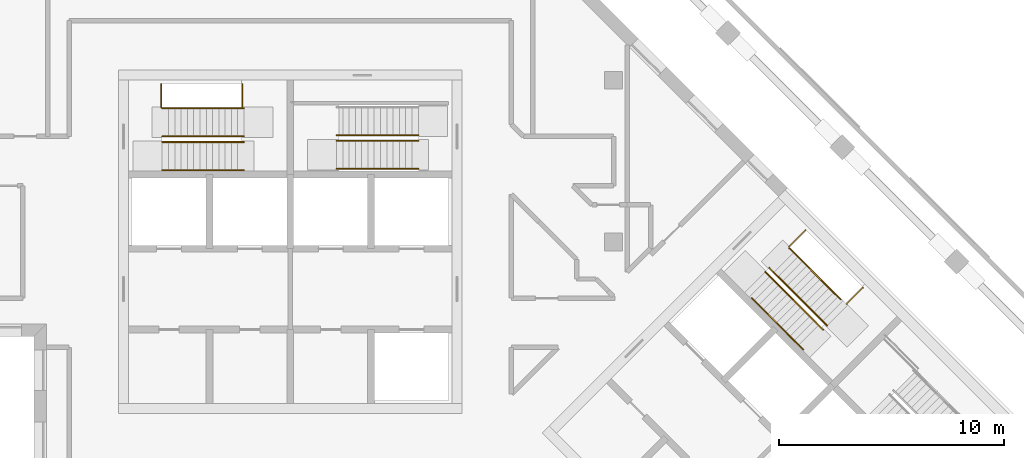
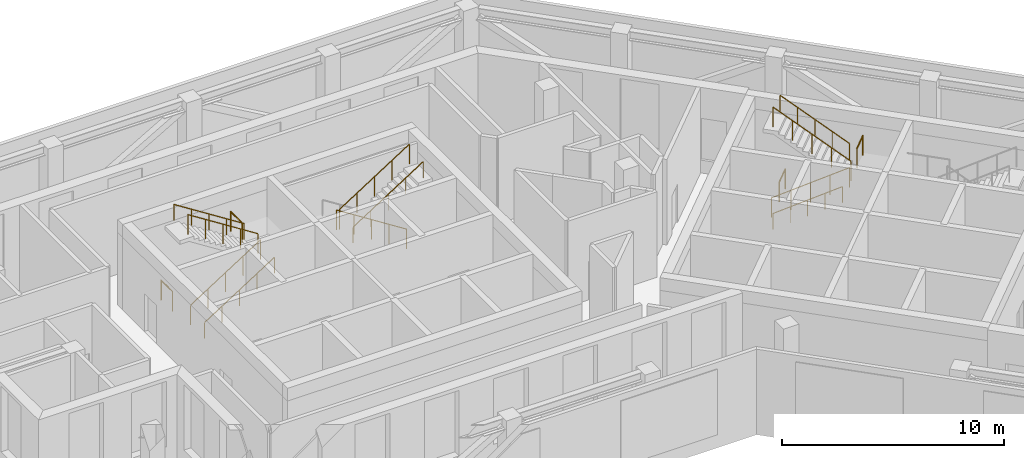
# One storey, part 7 of 9: 15 railings.
"""IFC4 building model written with IfcOpenShell, lengths in metres."""

import ifcopenshell
import ifcopenshell.guid

model = None  # the IFC model being written
_history = None  # IfcOwnerHistory: only IFC2X3 demands one
_inside = {}  # id of a spatial element -> (the spatial element, [elements in it])
_under = {}  # id of a project, library or spatial element -> (it, [spatial elements below it])
_declared = {}  # id of a project -> (the project, [libraries it declares])
_typed = {}  # id of a type object -> (the type object, [elements of that type])
_made_of = {}  # id of a material, layer set ... -> (it, [elements and type objects made of it])


def new_model(schema):
    """Start an empty IFC model of exactly this schema.

    Asked for "IFC4X3", IfcOpenShell would pick the latest addendum, in which some entities
    have other attributes; the version numbers below select the first issue.
    IFC2X3 requires an IfcOwnerHistory on every rooted entity: one is made here for all.
    """
    global model, _history
    if schema == "IFC4X3":
        model = ifcopenshell.file(schema_version=(4, 3, 0, 0))
    else:
        model = ifcopenshell.file(schema=schema)
    _inside.clear()
    _under.clear()
    _declared.clear()
    _typed.clear()
    _made_of.clear()
    _history = None
    if model.schema == "IFC2X3":
        org = make("IfcOrganization", Name="unknown")
        user = make(
            "IfcPersonAndOrganization",
            ThePerson=make("IfcPerson", FamilyName="unknown"),
            TheOrganization=org,
        )
        app = make(
            "IfcApplication",
            ApplicationDeveloper=org,
            Version="unknown",
            ApplicationFullName="unknown",
            ApplicationIdentifier="unknown",
        )
        _history = make(
            "IfcOwnerHistory",
            OwningUser=user,
            OwningApplication=app,
            ChangeAction="ADDED",
            CreationDate=0,
        )
    return model


def make(cls, **values):
    """One entity of the class cls with the attributes given. An attribute that is None is left unset."""
    return model.create_entity(
        cls, **{name: value for name, value in values.items() if value is not None}
    )


def rooted(cls, **values):
    """An entity with a GlobalId (a new one), such as an element, a storey or a relation."""
    return make(cls, GlobalId=ifcopenshell.guid.new(), OwnerHistory=_history, **values)


def si_unit(unit_type, name, prefix=None):
    """IfcSIUnit, for example si_unit("LENGTHUNIT", "METRE", prefix="MILLI")."""
    return make("IfcSIUnit", UnitType=unit_type, Prefix=prefix, Name=name)


def assignment(units):
    """IfcUnitAssignment: the units of a project."""
    return None if units is None else make("IfcUnitAssignment", Units=units)


def point(xyz):
    """IfcCartesianPoint."""
    return None if xyz is None else make("IfcCartesianPoint", Coordinates=xyz)


def direction(xyz):
    """IfcDirection."""
    return None if xyz is None else make("IfcDirection", DirectionRatios=xyz)


def frame(location, z_axis=None, x_axis=None):
    """IfcAxis2Placement3D, a coordinate frame: its origin and axes. An axis left out is left unset."""
    return make(
        "IfcAxis2Placement3D",
        Location=point(location),
        Axis=direction(z_axis),
        RefDirection=direction(x_axis),
    )


def frame_2d(location, x_axis=None):
    """IfcAxis2Placement2D, a coordinate frame in the plane: its origin and x axis."""
    return make(
        "IfcAxis2Placement2D", Location=point(location), RefDirection=direction(x_axis)
    )


def origin():
    """The frame at (0, 0, 0) with its axes left unset."""
    return frame((0.0, 0.0, 0.0))


def origin_2d():
    """The frame at (0, 0) in the plane with its x axis left unset."""
    return frame_2d((0.0, 0.0))


def place(relative_to, where):
    """IfcLocalPlacement: puts the frame where relative to a parent placement (None: the world)."""
    return make(
        "IfcLocalPlacement", PlacementRelTo=relative_to, RelativePlacement=where
    )


def context(
    kind, dimensions, precision=None, world=None, true_north=None, identifier=None
):
    """IfcGeometricRepresentationContext, for example the 3D "Model" context."""
    return make(
        "IfcGeometricRepresentationContext",
        ContextIdentifier=identifier,
        ContextType=kind,
        CoordinateSpaceDimension=dimensions,
        Precision=precision,
        WorldCoordinateSystem=world,
        TrueNorth=true_north,
    )


def subcontext(parent, identifier, kind, view, scale=None):
    """IfcGeometricRepresentationSubContext, for example "Body" below "Model"."""
    return make(
        "IfcGeometricRepresentationSubContext",
        ContextIdentifier=identifier,
        ContextType=kind,
        ParentContext=parent,
        TargetScale=scale,
        TargetView=view,
    )


def project(units=None, contexts=None):
    """IfcProject with its units and contexts."""
    return rooted(
        "IfcProject",
        Name="project",
        RepresentationContexts=contexts,
        UnitsInContext=assignment(units),
    )


def spatial(cls, under=None, at=None, **own):
    """A site, building, storey or space (cls), placed at a placement, below another one or the project."""
    s = rooted(cls, ObjectPlacement=at, **own)
    if under is not None:
        _under.setdefault(under.id(), (under, []))[1].append(s)
    return s


def profile(cls, at=None, kind="AREA", **sizes):
    """A parametric profile (cls). Its sizes go by their IFC names, for example OverallWidth=200.0."""
    return make(cls, ProfileType=kind, Position=at, **sizes)


def circle(**sizes):
    """IfcCircleProfileDef."""
    return profile("IfcCircleProfileDef", **sizes)


def extrude(swept, where, along, depth):
    """IfcExtrudedAreaSolid: the profile swept, set in the frame where, extruded along a direction by depth."""
    return make(
        "IfcExtrudedAreaSolid",
        SweptArea=swept,
        Position=where,
        ExtrudedDirection=direction(along),
        Depth=depth,
    )


def shape(context_of_items, identifier, shape_type, items):
    """IfcShapeRepresentation: the items that make up one representation, for example the "Body"."""
    return make(
        "IfcShapeRepresentation",
        ContextOfItems=context_of_items,
        RepresentationIdentifier=identifier,
        RepresentationType=shape_type,
        Items=items,
    )


def material(Name=None, Category=None):
    """IfcMaterial."""
    return make("IfcMaterial", Name=Name, Category=Category)


def made_of(thing, what):
    """Note that an element or type object is made of a material, layer set ...; save() writes the relation."""
    if what is not None:
        _made_of.setdefault(what.id(), (what, []))[1].append(thing)
    return thing


def type_object(cls, material=None, **own):
    """A type object (cls), such as IfcWallType, which elements share."""
    return made_of(rooted(cls, **own), material)


def element(
    cls,
    number,
    at=None,
    inside=None,
    cuts=None,
    type_object=None,
    material=None,
    context=None,
    identifier="Body",
    shape_type=None,
    held_by="IfcProductDefinitionShape",
    body=None,
    shapes=None,
    **own,
):
    """One element of the class cls, such as IfcWall. Its Tag is "e" and its number.

    at: its placement. inside: the storey or other place that contains it. cuts: it is an
    opening in that element (IfcRelVoidsElement). A single representation is given by context,
    identifier, shape_type and body (its items); several are given by shapes. held_by: the class
    of the entity that holds the representations. save() writes the other relations.
    """
    e = rooted(cls, Tag="e%d" % number, ObjectPlacement=at, **own)
    if body is not None:
        shapes = [shape(context, identifier, shape_type, body)]
    if shapes is not None:
        e.Representation = make(held_by, Representations=shapes)
    if inside is not None:
        _inside.setdefault(inside.id(), (inside, []))[1].append(e)
    if cuts is not None:
        rooted(
            "IfcRelVoidsElement", RelatingBuildingElement=cuts, RelatedOpeningElement=e
        )
    if type_object is not None:
        _typed.setdefault(type_object.id(), (type_object, []))[1].append(e)
    return made_of(e, material)


def aggregate(whole, parts):
    """IfcRelAggregates: a whole, such as a stair, and the parts it consists of."""
    return rooted("IfcRelAggregates", RelatingObject=whole, RelatedObjects=parts)


def save(model, path):
    """Write the relations noted so far, then the file.

    IfcRelAggregates (storeys below a building ...), IfcRelContainedInSpatialStructure (elements
    in a storey), IfcRelDefinesByType, IfcRelAssociatesMaterial and IfcRelDeclares: one each for
    every whole, place, type object, material and project.
    """
    for whole, parts in _under.values():
        aggregate(whole, parts)
    for where, things in _inside.values():
        rooted(
            "IfcRelContainedInSpatialStructure",
            RelatedElements=things,
            RelatingStructure=where,
        )
    for kind, things in _typed.values():
        rooted("IfcRelDefinesByType", RelatedObjects=things, RelatingType=kind)
    for what, things in _made_of.values():
        rooted("IfcRelAssociatesMaterial", RelatedObjects=things, RelatingMaterial=what)
    for by, libraries in _declared.values():
        rooted("IfcRelDeclares", RelatingContext=by, RelatedDefinitions=libraries)
    model.write(path)


model = new_model("IFC4")

# Units and contexts
model_context = context("Model", 3, precision=1e-05, world=origin(), true_north=direction((0.0, 1.0)))
body_context = subcontext(model_context, "Body", "Model", "MODEL_VIEW")
ifc_project = project(units=[si_unit("LENGTHUNIT", "METRE"), si_unit("AREAUNIT", "SQUARE_METRE"), si_unit("VOLUMEUNIT", "CUBIC_METRE"), si_unit("PLANEANGLEUNIT", "RADIAN"), si_unit("MASSUNIT", "GRAM", prefix="KILO")], contexts=[model_context])

# Site, building, storey
site_placement = place(None, origin())
site = spatial("IfcSite", under=ifc_project, at=site_placement, CompositionType="ELEMENT")
building_placement = place(site_placement, origin())
building = spatial("IfcBuilding", under=site, at=building_placement, Name="Windrow Commons", CompositionType="ELEMENT")
storey_placement = place(building_placement, frame((0.0, 0.0, 234.6)))
storey = spatial("IfcBuildingStorey", under=building, at=storey_placement, Name="L64", CompositionType="ELEMENT", Elevation=234.6)

# Railings
ifc_material_1 = material(Name="Steel S355", Category="steel")
railing_type_1 = type_object("IfcRailingType", Name="Core stair guard 1100", PredefinedType="GUARDRAIL", material=ifc_material_1)
railing_1_placement = place(storey_placement, frame((59.1, 62.05, 0.1786)))
element("IfcRailing", 1, at=railing_1_placement, inside=storey, type_object=railing_type_1, Name="L64 ST-A1 stair guard 1", PredefinedType="GUARDRAIL", context=body_context, shape_type="SweptSolid", body=[
    extrude(circle(Radius=0.024, at=origin_2d()), frame((0.0, 0.0, 1.076), z_axis=(0.8431326905, 0.0, 0.5377055571), x_axis=(0.0, 1.0, 0.0)), (0.0, 0.0, 1.0), 4.3172),
    extrude(circle(Radius=0.021, at=origin_2d()), origin(), (0.0, 0.0, 1.0), 1.052),
    extrude(circle(Radius=0.021, at=origin_2d()), frame((0.91, 0.0, 0.5803)), (0.0, 0.0, 1.0), 1.052),
    extrude(circle(Radius=0.021, at=origin_2d()), frame((1.82, 0.0, 1.1607)), (0.0, 0.0, 1.0), 1.052),
    extrude(circle(Radius=0.021, at=origin_2d()), frame((2.73, 0.0, 1.741)), (0.0, 0.0, 1.0), 1.052),
    extrude(circle(Radius=0.021, at=origin_2d()), frame((3.64, 0.0, 2.3214)), (0.0, 0.0, 1.0), 1.052),
])
railing_2_placement = place(storey_placement, frame((62.74, 62.3, 2.6786)))
element("IfcRailing", 2, at=railing_2_placement, inside=storey, type_object=railing_type_1, Name="L64 ST-A1 stair guard 2", PredefinedType="GUARDRAIL", context=body_context, shape_type="SweptSolid", body=[
    extrude(circle(Radius=0.024, at=origin_2d()), frame((0.0, 0.0, 1.076), z_axis=(-0.8431326905, 0.0, 0.5377055571), x_axis=(0.0, -1.0, 0.0)), (0.0, 0.0, 1.0), 4.3172),
    extrude(circle(Radius=0.021, at=origin_2d()), origin(), (0.0, 0.0, 1.0), 1.052),
    extrude(circle(Radius=0.021, at=origin_2d()), frame((-0.91, 0.0, 0.5803)), (0.0, 0.0, 1.0), 1.052),
    extrude(circle(Radius=0.021, at=origin_2d()), frame((-1.82, 0.0, 1.1607)), (0.0, 0.0, 1.0), 1.052),
    extrude(circle(Radius=0.021, at=origin_2d()), frame((-2.73, 0.0, 1.741)), (0.0, 0.0, 1.0), 1.052),
    extrude(circle(Radius=0.021, at=origin_2d()), frame((-3.64, 0.0, 2.3214)), (0.0, 0.0, 1.0), 1.052),
])
for number, where, name in (
    (3, (59.05, 63.6, 0.0), "L64 ST-A1 stair guard 3"),
    (4, (62.67, 63.6, 2.5), "L64 ST-A1 stair guard 4"),
):
    element("IfcRailing", number, at=place(storey_placement, frame(where)), inside=storey, type_object=railing_type_1, Name=name, PredefinedType="GUARDRAIL", context=body_context, shape_type="SweptSolid", body=[
        extrude(circle(Radius=0.024, at=origin_2d()), frame((0.0, 0.0, 1.076), z_axis=(0.0, 1.0, 0.0), x_axis=(-1.0, 0.0, 0.0)), (0.0, 0.0, 1.0), 1.03),
        extrude(circle(Radius=0.021, at=origin_2d()), origin(), (0.0, 0.0, 1.0), 1.052),
        extrude(circle(Radius=0.021, at=origin_2d()), frame((0.0, 1.03, 0.0)), (0.0, 0.0, 1.0), 1.052),
    ])
railing_3_placement = place(storey_placement, frame((70.5, 62.355, 0.1786)))
element("IfcRailing", 5, at=railing_3_placement, inside=storey, type_object=railing_type_1, Name="L64 ST-A2 stair guard 1", PredefinedType="GUARDRAIL", context=body_context, shape_type="SweptSolid", body=[
    extrude(circle(Radius=0.024, at=origin_2d()), frame((0.0, 0.0, 1.076), z_axis=(-0.8431326905, 0.0, 0.5377055571), x_axis=(0.0, -1.0, 0.0)), (0.0, 0.0, 1.0), 4.3172),
    extrude(circle(Radius=0.021, at=origin_2d()), origin(), (0.0, 0.0, 1.0), 1.052),
    extrude(circle(Radius=0.021, at=origin_2d()), frame((-0.91, 0.0, 0.5803)), (0.0, 0.0, 1.0), 1.052),
    extrude(circle(Radius=0.021, at=origin_2d()), frame((-1.82, 0.0, 1.1607)), (0.0, 0.0, 1.0), 1.052),
    extrude(circle(Radius=0.021, at=origin_2d()), frame((-2.73, 0.0, 1.741)), (0.0, 0.0, 1.0), 1.052),
    extrude(circle(Radius=0.021, at=origin_2d()), frame((-3.64, 0.0, 2.3214)), (0.0, 0.0, 1.0), 1.052),
])
railing_4_placement = place(storey_placement, frame((66.86, 62.105, 2.6786)))
element("IfcRailing", 6, at=railing_4_placement, inside=storey, type_object=railing_type_1, Name="L64 ST-A2 stair guard 2", PredefinedType="GUARDRAIL", context=body_context, shape_type="SweptSolid", body=[
    extrude(circle(Radius=0.024, at=origin_2d()), frame((0.0, 0.0, 1.076), z_axis=(0.8431326905, 0.0, 0.5377055571), x_axis=(0.0, 1.0, 0.0)), (0.0, 0.0, 1.0), 4.3172),
    extrude(circle(Radius=0.021, at=origin_2d()), origin(), (0.0, 0.0, 1.0), 1.052),
    extrude(circle(Radius=0.021, at=origin_2d()), frame((0.91, 0.0, 0.5803)), (0.0, 0.0, 1.0), 1.052),
    extrude(circle(Radius=0.021, at=origin_2d()), frame((1.82, 0.0, 1.1607)), (0.0, 0.0, 1.0), 1.052),
    extrude(circle(Radius=0.021, at=origin_2d()), frame((2.73, 0.0, 1.741)), (0.0, 0.0, 1.0), 1.052),
    extrude(circle(Radius=0.021, at=origin_2d()), frame((3.64, 0.0, 2.3214)), (0.0, 0.0, 1.0), 1.052),
])
railing_5_placement = place(storey_placement, frame((85.9529, 56.2669, 0.1786)))
element("IfcRailing", 7, at=railing_5_placement, inside=storey, type_object=railing_type_1, Name="L64 ST-B1 stair guard 1", PredefinedType="GUARDRAIL", context=body_context, shape_type="SweptSolid", body=[
    extrude(circle(Radius=0.024, at=origin_2d()), frame((0.0, 0.0, 1.076), z_axis=(0.59617201, -0.5961951731, 0.5377083317), x_axis=(0.7071205174, 0.7070930447, 0.0)), (0.0, 0.0, 1.0), 4.3172),
    extrude(circle(Radius=0.021, at=origin_2d()), origin(), (0.0, 0.0, 1.0), 1.052),
    extrude(circle(Radius=0.021, at=origin_2d()), frame((0.6435, -0.6435, 0.5803)), (0.0, 0.0, 1.0), 1.052),
    extrude(circle(Radius=0.021, at=origin_2d()), frame((1.2869, -1.287, 1.1607)), (0.0, 0.0, 1.0), 1.052),
    extrude(circle(Radius=0.021, at=origin_2d()), frame((1.9304, -1.9304, 1.741)), (0.0, 0.0, 1.0), 1.052),
    extrude(circle(Radius=0.021, at=origin_2d()), frame((2.5738, -2.5739, 2.3214)), (0.0, 0.0, 1.0), 1.052),
])
railing_6_placement = place(storey_placement, frame((88.7035, 53.8698, 2.6786)))
element("IfcRailing", 8, at=railing_6_placement, inside=storey, type_object=railing_type_1, Name="L64 ST-B1 stair guard 2", PredefinedType="GUARDRAIL", context=body_context, shape_type="SweptSolid", body=[
    extrude(circle(Radius=0.024, at=origin_2d()), frame((0.0, 0.0, 1.076), z_axis=(-0.5961869402, 0.5961869402, 0.5377009064), x_axis=(-0.7071067812, -0.7071067812, 0.0)), (0.0, 0.0, 1.0), 4.3173),
    extrude(circle(Radius=0.021, at=origin_2d()), origin(), (0.0, 0.0, 1.0), 1.052),
    extrude(circle(Radius=0.021, at=origin_2d()), frame((-0.6435, 0.6435, 0.5803)), (0.0, 0.0, 1.0), 1.052),
    extrude(circle(Radius=0.021, at=origin_2d()), frame((-1.287, 1.287, 1.1607)), (0.0, 0.0, 1.0), 1.052),
    extrude(circle(Radius=0.021, at=origin_2d()), frame((-1.9304, 1.9304, 1.741)), (0.0, 0.0, 1.0), 1.052),
    extrude(circle(Radius=0.021, at=origin_2d()), frame((-2.5739, 2.5739, 2.3214)), (0.0, 0.0, 1.0), 1.052),
])
railing_7_placement = place(storey_placement, frame((87.0135, 57.3982, 0.0)))
element("IfcRailing", 9, at=railing_7_placement, inside=storey, type_object=railing_type_1, Name="L64 ST-B1 stair guard 3", PredefinedType="GUARDRAIL", context=body_context, shape_type="SweptSolid", body=[
    extrude(circle(Radius=0.024, at=origin_2d()), frame((0.0, 0.0, 1.076), z_axis=(0.7070582378, 0.7071553212, 0.0), x_axis=(-0.7071553212, 0.7070582378, 0.0)), (0.0, 0.0, 1.0), 1.03),
    extrude(circle(Radius=0.021, at=origin_2d()), origin(), (0.0, 0.0, 1.0), 1.052),
    extrude(circle(Radius=0.021, at=origin_2d()), frame((0.7283, 0.7284, 0.0)), (0.0, 0.0, 1.0), 1.052),
])
railing_8_placement = place(storey_placement, frame((89.5732, 54.8385, 2.5)))
element("IfcRailing", 10, at=railing_8_placement, inside=storey, type_object=railing_type_1, Name="L64 ST-B1 stair guard 4", PredefinedType="GUARDRAIL", context=body_context, shape_type="SweptSolid", body=[
    extrude(circle(Radius=0.024, at=origin_2d()), frame((0.0, 0.0, 1.076), z_axis=(0.7071067812, 0.7071067812, 0.0), x_axis=(-0.7071067812, 0.7071067812, 0.0)), (0.0, 0.0, 1.0), 1.0301),
    extrude(circle(Radius=0.021, at=origin_2d()), origin(), (0.0, 0.0, 1.0), 1.052),
    extrude(circle(Radius=0.021, at=origin_2d()), frame((0.7284, 0.7284, 0.0)), (0.0, 0.0, 1.0), 1.052),
])
ifc_material_2 = material(Name="Steel S355", Category="steel")
railing_type_2 = type_object("IfcRailingType", Name="Core stair handrail 900", PredefinedType="HANDRAIL", material=ifc_material_2)
railing_9_placement = place(storey_placement, frame((59.1, 60.8, 0.1786)))
element("IfcRailing", 11, at=railing_9_placement, inside=storey, type_object=railing_type_2, Name="L64 ST-A1 stair handrail 1", PredefinedType="HANDRAIL", context=body_context, shape_type="SweptSolid", body=[
    extrude(circle(Radius=0.024, at=origin_2d()), frame((0.0, 0.0, 0.876), z_axis=(0.8431326905, 0.0, 0.5377055571), x_axis=(0.0, 1.0, 0.0)), (0.0, 0.0, 1.0), 4.3172),
    extrude(circle(Radius=0.021, at=origin_2d()), origin(), (0.0, 0.0, 1.0), 0.852),
    extrude(circle(Radius=0.021, at=origin_2d()), frame((0.91, 0.0, 0.5803)), (0.0, 0.0, 1.0), 0.852),
    extrude(circle(Radius=0.021, at=origin_2d()), frame((1.82, 0.0, 1.1607)), (0.0, 0.0, 1.0), 0.852),
    extrude(circle(Radius=0.021, at=origin_2d()), frame((2.73, 0.0, 1.741)), (0.0, 0.0, 1.0), 0.852),
    extrude(circle(Radius=0.021, at=origin_2d()), frame((3.64, 0.0, 2.3214)), (0.0, 0.0, 1.0), 0.852),
])
railing_10_placement = place(storey_placement, frame((62.74, 63.55, 2.6786)))
element("IfcRailing", 12, at=railing_10_placement, inside=storey, type_object=railing_type_2, Name="L64 ST-A1 stair handrail 2", PredefinedType="HANDRAIL", context=body_context, shape_type="SweptSolid", body=[
    extrude(circle(Radius=0.024, at=origin_2d()), frame((0.0, 0.0, 0.876), z_axis=(-0.8431326905, 0.0, 0.5377055571), x_axis=(0.0, -1.0, 0.0)), (0.0, 0.0, 1.0), 4.3172),
    extrude(circle(Radius=0.021, at=origin_2d()), origin(), (0.0, 0.0, 1.0), 0.852),
    extrude(circle(Radius=0.021, at=origin_2d()), frame((-0.91, 0.0, 0.5803)), (0.0, 0.0, 1.0), 0.852),
    extrude(circle(Radius=0.021, at=origin_2d()), frame((-1.82, 0.0, 1.1607)), (0.0, 0.0, 1.0), 0.852),
    extrude(circle(Radius=0.021, at=origin_2d()), frame((-2.73, 0.0, 1.741)), (0.0, 0.0, 1.0), 0.852),
    extrude(circle(Radius=0.021, at=origin_2d()), frame((-3.64, 0.0, 2.3214)), (0.0, 0.0, 1.0), 0.852),
])
railing_11_placement = place(storey_placement, frame((66.86, 60.855, 2.6786)))
element("IfcRailing", 13, at=railing_11_placement, inside=storey, type_object=railing_type_2, Name="L64 ST-A2 stair handrail 2", PredefinedType="HANDRAIL", context=body_context, shape_type="SweptSolid", body=[
    extrude(circle(Radius=0.024, at=origin_2d()), frame((0.0, 0.0, 0.876), z_axis=(0.8431326905, 0.0, 0.5377055571), x_axis=(0.0, 1.0, 0.0)), (0.0, 0.0, 1.0), 4.3172),
    extrude(circle(Radius=0.021, at=origin_2d()), origin(), (0.0, 0.0, 1.0), 0.852),
    extrude(circle(Radius=0.021, at=origin_2d()), frame((0.91, 0.0, 0.5803)), (0.0, 0.0, 1.0), 0.852),
    extrude(circle(Radius=0.021, at=origin_2d()), frame((1.82, 0.0, 1.1607)), (0.0, 0.0, 1.0), 0.852),
    extrude(circle(Radius=0.021, at=origin_2d()), frame((2.73, 0.0, 1.741)), (0.0, 0.0, 1.0), 0.852),
    extrude(circle(Radius=0.021, at=origin_2d()), frame((3.64, 0.0, 2.3214)), (0.0, 0.0, 1.0), 0.852),
])
railing_12_placement = place(storey_placement, frame((85.3518, 55.1001, 0.4337)))
element("IfcRailing", 14, at=railing_12_placement, inside=storey, type_object=railing_type_2, Name="L64 ST-B1 stair handrail 1", PredefinedType="HANDRAIL", context=body_context, shape_type="SweptSolid", body=[
    extrude(circle(Radius=0.024, at=origin_2d()), frame((0.0, 0.0, 0.876), z_axis=(0.5961997536, -0.5961737312, 0.5377013447), x_axis=(0.7070913491, 0.707122213, 0.0)), (0.0, 0.0, 1.0), 3.8428),
    extrude(circle(Radius=0.021, at=origin_2d()), origin(), (0.0, 0.0, 1.0), 0.852),
    extrude(circle(Radius=0.021, at=origin_2d()), frame((0.5728, -0.5727, 0.5166)), (0.0, 0.0, 1.0), 0.852),
    extrude(circle(Radius=0.021, at=origin_2d()), frame((1.1456, -1.1455, 1.0331)), (0.0, 0.0, 1.0), 0.852),
    extrude(circle(Radius=0.021, at=origin_2d()), frame((1.7183, -1.7182, 1.5497)), (0.0, 0.0, 1.0), 0.852),
    extrude(circle(Radius=0.021, at=origin_2d()), frame((2.2911, -2.291, 2.0663)), (0.0, 0.0, 1.0), 0.852),
])
railing_13_placement = place(storey_placement, frame((89.3046, 55.0365, 2.9337)))
element("IfcRailing", 15, at=railing_13_placement, inside=storey, type_object=railing_type_2, Name="L64 ST-B1 stair handrail 2", PredefinedType="HANDRAIL", context=body_context, shape_type="SweptSolid", body=[
    extrude(circle(Radius=0.024, at=origin_2d()), frame((0.0, 0.0, 0.876), z_axis=(-0.5961997536, 0.5961737312, 0.5377013447), x_axis=(-0.7070913491, -0.707122213, 0.0)), (0.0, 0.0, 1.0), 3.8428),
    extrude(circle(Radius=0.021, at=origin_2d()), origin(), (0.0, 0.0, 1.0), 0.852),
    extrude(circle(Radius=0.021, at=origin_2d()), frame((-0.5728, 0.5728, 0.5166)), (0.0, 0.0, 1.0), 0.852),
    extrude(circle(Radius=0.021, at=origin_2d()), frame((-1.1456, 1.1455, 1.0331)), (0.0, 0.0, 1.0), 0.852),
    extrude(circle(Radius=0.021, at=origin_2d()), frame((-1.7183, 1.7183, 1.5497)), (0.0, 0.0, 1.0), 0.852),
    extrude(circle(Radius=0.021, at=origin_2d()), frame((-2.2911, 2.291, 2.0663)), (0.0, 0.0, 1.0), 0.852),
])

save(model, "model.ifc")
